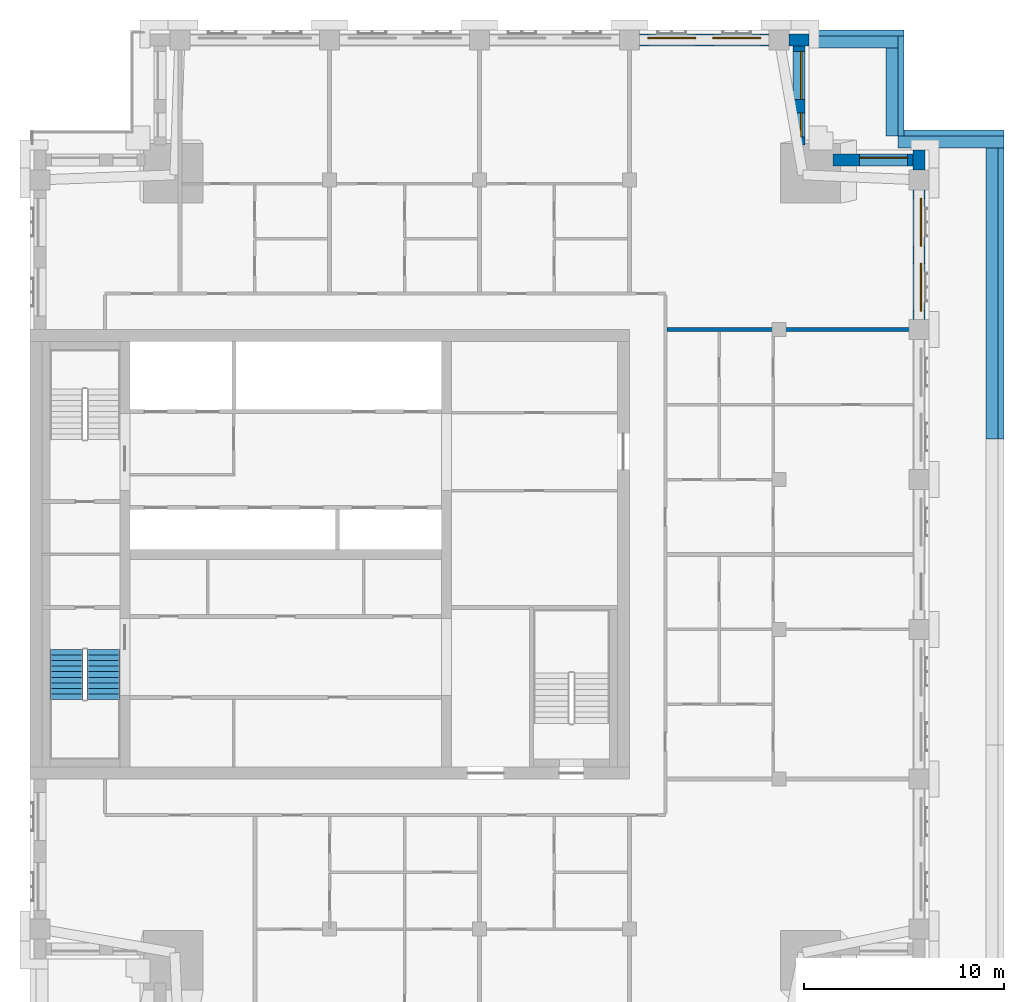
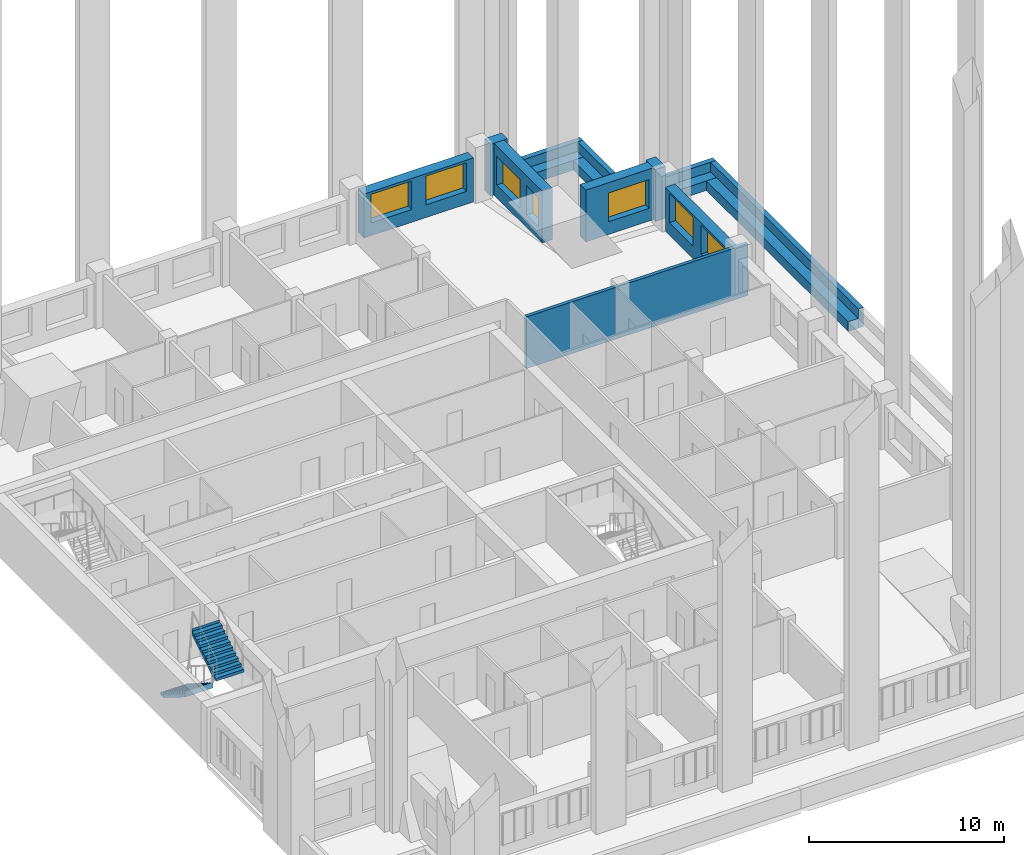
# One storey, part 8 of 12: 15 walls, 7 windows, 2 stair flights, 7 openings, 1 element without a shape of its own.
"""IFC4 building model written with IfcOpenShell, lengths in metres."""

from ifc_helpers import new_model, si_unit, direction, frame, frame_2d, origin, place, context, subcontext, project, spatial, polyline, rectangle, outline, extrude, material, layer, layer_set, type_object, element, fill, aggregate, save


model = new_model("IFC4")

# Units and contexts
model_context = context("Model", 3, precision=1e-05, world=origin(), true_north=direction((0.0, 1.0)))
body_context = subcontext(model_context, "Body", "Model", "MODEL_VIEW")
ifc_project = project(units=[si_unit("LENGTHUNIT", "METRE"), si_unit("AREAUNIT", "SQUARE_METRE"), si_unit("VOLUMEUNIT", "CUBIC_METRE"), si_unit("PLANEANGLEUNIT", "RADIAN"), si_unit("MASSUNIT", "GRAM", prefix="KILO")], contexts=[model_context])

# Site, building, storey
site_placement = place(None, origin())
site = spatial("IfcSite", under=ifc_project, at=site_placement, CompositionType="ELEMENT")
building_placement = place(site_placement, origin())
building = spatial("IfcBuilding", under=site, at=building_placement, Name="Tamorin Gate", CompositionType="ELEMENT")
storey_placement = place(building_placement, frame((0.0, 0.0, 266.199951171875)))
storey = spatial("IfcBuildingStorey", under=building, at=storey_placement, Name="L66", CompositionType="ELEMENT", Elevation=266.199951171875)

# Wall, openings, windows
ifc_material_1 = material(Name="Precast concrete C40/50", Category="concrete")
ifc_layer_1 = layer(ifc_material_1, 0.60009765625)
ifc_layer_set_1 = layer_set([ifc_layer_1], Name="Precast concrete C40/50")
wall_type_1 = type_object("IfcWallType", Name="Board-marked concrete facade panel 600", PredefinedType="SOLIDWALL", material=ifc_layer_set_1)
wall_1_placement = place(storey_placement, frame((74.5, 83.0, 0.0), z_axis=(0.0, 0.0, 1.0), x_axis=(0.0, 1.0, 0.0)))
wall_1 = element("IfcWall", 1, at=wall_1_placement, inside=storey, type_object=wall_type_1, Name="Facade panel", PredefinedType="SOLIDWALL", context=body_context, shape_type="SweptSolid", body=[
    extrude(rectangle(XDim=6.5, YDim=0.60009765625, at=frame_2d((3.25, 0.0))), origin(), (0.0, 0.0, 1.0), 2.75),
])
opening_1_placement = place(wall_1_placement, frame((0.425048828125, 0.0, 0.800048828125)))
opening_1 = element("IfcOpeningElement", 2, at=opening_1_placement, cuts=wall_1, Name="Opening WN1", PredefinedType="OPENING", context=body_context, shape_type="SweptSolid", body=[
    extrude(rectangle(XDim=2.39990234375, YDim=1.800048828125, at=frame_2d((1.199951171875, 0.89990234375))), frame((0.0, 0.31005859375, 0.0), z_axis=(0.0, -1.0, 0.0), x_axis=(1.0, 0.0, 0.0)), (0.0, 0.0, 1.0), 0.6201171875),
])
opening_2_placement = place(wall_1_placement, frame((3.675048828125, 0.0, 0.800048828125)))
opening_2 = element("IfcOpeningElement", 3, at=opening_2_placement, cuts=wall_1, Name="Opening WN1", PredefinedType="OPENING", context=body_context, shape_type="SweptSolid", body=[
    extrude(rectangle(XDim=2.39990234375, YDim=1.800048828125, at=frame_2d((1.199951171875, 0.89990234375))), frame((0.0, 0.31005859375, 0.0), z_axis=(0.0, -1.0, 0.0), x_axis=(1.0, 0.0, 0.0)), (0.0, 0.0, 1.0), 0.6201171875),
])
ifc_material_2 = material(Name="Clear glass in aluminium frame", Category="aluminium")
window_type_1 = type_object("IfcWindowType", Name="Deep-set window 2400x1800", PartitioningType="SINGLE_PANEL", PredefinedType="WINDOW", material=ifc_material_2)
window_1_placement = place(opening_1_placement, origin())
window_1 = element("IfcWindow", 4, at=window_1_placement, inside=storey, type_object=window_type_1, Name="Deep-set window", OverallHeight=1.800048828125, OverallWidth=2.39990234375, PartitioningType="SINGLE_PANEL", PredefinedType="WINDOW", context=body_context, shape_type="SweptSolid", body=[
    extrude(rectangle(XDim=2.39990234375, YDim=1.800048828125, at=frame_2d((1.199951171875, 0.89990234375))), frame((0.0, -0.070068359375, 0.0), z_axis=(0.0, -1.0, 0.0), x_axis=(1.0, 0.0, 0.0)), (0.0, 0.0, 1.0), 0.06005859375),
])
fill(opening_1, window_1)
window_2_placement = place(opening_2_placement, origin())
window_2 = element("IfcWindow", 5, at=window_2_placement, inside=storey, type_object=window_type_1, Name="Deep-set window", OverallHeight=1.800048828125, OverallWidth=2.39990234375, PartitioningType="SINGLE_PANEL", PredefinedType="WINDOW", context=body_context, shape_type="SweptSolid", body=[
    extrude(rectangle(XDim=2.39990234375, YDim=1.800048828125, at=frame_2d((1.199951171875, 0.89990234375))), frame((0.0, -0.070068359375, 0.0), z_axis=(0.0, -1.0, 0.0), x_axis=(1.0, 0.0, 0.0)), (0.0, 0.0, 1.0), 0.06005859375),
])
fill(opening_2, window_2)

# Wall
wall_2_placement = place(storey_placement, frame((74.5, 90.5, 0.0), z_axis=(0.0, 0.0, 1.0), x_axis=(0.0, 1.0, 0.0)))
element("IfcWall", 6, at=wall_2_placement, inside=storey, type_object=wall_type_1, Name="Facade panel", PredefinedType="SOLIDWALL", context=body_context, shape_type="SweptSolid", body=[
    extrude(rectangle(XDim=1.0, YDim=0.60009765625, at=frame_2d((0.5, 0.0))), origin(), (0.0, 0.0, 1.0), 3.25),
])

# Wall, opening, window
wall_3_placement = place(storey_placement, frame((74.199951171875, 91.0, 0.0), z_axis=(0.0, 0.0, 1.0), x_axis=(-1.0, 0.0, 0.0)))
wall_3 = element("IfcWall", 7, at=wall_3_placement, inside=storey, type_object=wall_type_1, Name="Facade panel", PredefinedType="SOLIDWALL", context=body_context, shape_type="SweptSolid", body=[
    extrude(rectangle(XDim=4.012451171875, YDim=0.60009765625, at=frame_2d((2.00634765625, 0.0))), origin(), (0.0, 0.0, 1.0), 3.25),
])
opening_3_placement = place(wall_3_placement, frame((0.27490234375, 0.0, 0.800048828125)))
opening_3 = element("IfcOpeningElement", 8, at=opening_3_placement, cuts=wall_3, Name="Opening WN1", PredefinedType="OPENING", context=body_context, shape_type="SweptSolid", body=[
    extrude(rectangle(XDim=2.39990234375, YDim=1.800048828125, at=frame_2d((1.199951171875, 0.89990234375))), frame((0.0, 0.31005859375, 0.0), z_axis=(0.0, -1.0, 0.0), x_axis=(1.0, 0.0, 0.0)), (0.0, 0.0, 1.0), 0.6201171875),
])
window_3_placement = place(opening_3_placement, origin())
window_3 = element("IfcWindow", 9, at=window_3_placement, inside=storey, type_object=window_type_1, Name="Deep-set window", OverallHeight=1.800048828125, OverallWidth=2.39990234375, PartitioningType="SINGLE_PANEL", PredefinedType="WINDOW", context=body_context, shape_type="SweptSolid", body=[
    extrude(rectangle(XDim=2.39990234375, YDim=1.800048828125, at=frame_2d((1.199951171875, 0.89990234375))), frame((0.0, -0.070068359375, 0.0), z_axis=(0.0, -1.0, 0.0), x_axis=(1.0, 0.0, 0.0)), (0.0, 0.0, 1.0), 0.06005859375),
])
fill(opening_3, window_3)

# Wall, openings, windows
wall_4_placement = place(storey_placement, frame((68.5, 91.75, 0.0), z_axis=(0.0, 0.0, 1.0), x_axis=(0.0, 1.0, 0.0)))
wall_4 = element("IfcWall", 10, at=wall_4_placement, inside=storey, type_object=wall_type_1, Name="Facade panel", PredefinedType="SOLIDWALL", context=body_context, shape_type="SweptSolid", body=[
    extrude(rectangle(XDim=4.949951171875, YDim=0.60009765625, at=frame_2d((2.47509765625, 0.0))), origin(), (0.0, 0.0, 1.0), 3.25),
])
opening_4_placement = place(wall_4_placement, frame((0.39990234375, 0.0, 0.800048828125)))
opening_4 = element("IfcOpeningElement", 11, at=opening_4_placement, cuts=wall_4, Name="Opening WN3", PredefinedType="OPENING", context=body_context, shape_type="SweptSolid", body=[
    extrude(rectangle(XDim=1.199951171875, YDim=1.800048828125, at=frame_2d((0.60009765625, 0.89990234375))), frame((0.0, 0.31005859375, 0.0), z_axis=(0.0, -1.0, 0.0), x_axis=(1.0, 0.0, 0.0)), (0.0, 0.0, 1.0), 0.6201171875),
])
opening_5_placement = place(wall_4_placement, frame((2.27490234375, 0.0, 0.800048828125)))
opening_5 = element("IfcOpeningElement", 12, at=opening_5_placement, cuts=wall_4, Name="Opening WN1", PredefinedType="OPENING", context=body_context, shape_type="SweptSolid", body=[
    extrude(rectangle(XDim=2.39990234375, YDim=1.800048828125, at=frame_2d((1.199951171875, 0.89990234375))), frame((0.0, 0.31005859375, 0.0), z_axis=(0.0, -1.0, 0.0), x_axis=(1.0, 0.0, 0.0)), (0.0, 0.0, 1.0), 0.6201171875),
])
window_type_2 = type_object("IfcWindowType", Name="Deep-set window 1200x1800", PartitioningType="SINGLE_PANEL", PredefinedType="WINDOW", material=ifc_material_2)
window_4_placement = place(opening_4_placement, origin())
window_4 = element("IfcWindow", 13, at=window_4_placement, inside=storey, type_object=window_type_2, Name="Deep-set window", OverallHeight=1.800048828125, OverallWidth=1.199951171875, PartitioningType="SINGLE_PANEL", PredefinedType="WINDOW", context=body_context, shape_type="SweptSolid", body=[
    extrude(rectangle(XDim=1.199951171875, YDim=1.800048828125, at=frame_2d((0.60009765625, 0.89990234375))), frame((0.0, -0.070068359375, 0.0), z_axis=(0.0, -1.0, 0.0), x_axis=(1.0, 0.0, 0.0)), (0.0, 0.0, 1.0), 0.06005859375),
])
fill(opening_4, window_4)
window_5_placement = place(opening_5_placement, origin())
window_5 = element("IfcWindow", 14, at=window_5_placement, inside=storey, type_object=window_type_1, Name="Deep-set window", OverallHeight=1.800048828125, OverallWidth=2.39990234375, PartitioningType="SINGLE_PANEL", PredefinedType="WINDOW", context=body_context, shape_type="SweptSolid", body=[
    extrude(rectangle(XDim=2.39990234375, YDim=1.800048828125, at=frame_2d((1.199951171875, 0.89990234375))), frame((0.0, -0.070068359375, 0.0), z_axis=(0.0, -1.0, 0.0), x_axis=(1.0, 0.0, 0.0)), (0.0, 0.0, 1.0), 0.06005859375),
])
fill(opening_5, window_5)

# Wall
wall_5_placement = place(storey_placement, frame((69.0, 97.0, 0.0), z_axis=(0.0, 0.0, 1.0), x_axis=(-1.0, 0.0, 0.0)))
element("IfcWall", 15, at=wall_5_placement, inside=storey, type_object=wall_type_1, Name="Facade panel", PredefinedType="SOLIDWALL", context=body_context, shape_type="SweptSolid", body=[
    extrude(rectangle(XDim=1.0, YDim=0.60009765625, at=frame_2d((0.5, 0.0))), origin(), (0.0, 0.0, 1.0), 3.25),
])

# Wall, openings, windows
wall_6_placement = place(storey_placement, frame((67.0, 97.0, 0.0), z_axis=(0.0, 0.0, 1.0), x_axis=(-1.0, 0.0, 0.0)))
wall_6 = element("IfcWall", 16, at=wall_6_placement, inside=storey, type_object=wall_type_1, Name="Facade panel", PredefinedType="SOLIDWALL", context=body_context, shape_type="SweptSolid", body=[
    extrude(rectangle(XDim=6.5, YDim=0.60009765625, at=frame_2d((3.25, 0.0))), origin(), (0.0, 0.0, 1.0), 2.75),
])
opening_6_placement = place(wall_6_placement, frame((3.675048828125, 0.0, 0.800048828125)))
opening_6 = element("IfcOpeningElement", 17, at=opening_6_placement, cuts=wall_6, Name="Opening WN1", PredefinedType="OPENING", context=body_context, shape_type="SweptSolid", body=[
    extrude(rectangle(XDim=2.39990234375, YDim=1.800048828125, at=frame_2d((1.199951171875, 0.89990234375))), frame((0.0, 0.31005859375, 0.0), z_axis=(0.0, -1.0, 0.0), x_axis=(1.0, 0.0, 0.0)), (0.0, 0.0, 1.0), 0.6201171875),
])
opening_7_placement = place(wall_6_placement, frame((0.425048828125, 0.0, 0.800048828125)))
opening_7 = element("IfcOpeningElement", 18, at=opening_7_placement, cuts=wall_6, Name="Opening WN1", PredefinedType="OPENING", context=body_context, shape_type="SweptSolid", body=[
    extrude(rectangle(XDim=2.39990234375, YDim=1.800048828125, at=frame_2d((1.199951171875, 0.89990234375))), frame((0.0, 0.31005859375, 0.0), z_axis=(0.0, -1.0, 0.0), x_axis=(1.0, 0.0, 0.0)), (0.0, 0.0, 1.0), 0.6201171875),
])
window_6_placement = place(opening_6_placement, origin())
window_6 = element("IfcWindow", 19, at=window_6_placement, inside=storey, type_object=window_type_1, Name="Deep-set window", OverallHeight=1.800048828125, OverallWidth=2.39990234375, PartitioningType="SINGLE_PANEL", PredefinedType="WINDOW", context=body_context, shape_type="SweptSolid", body=[
    extrude(rectangle(XDim=2.39990234375, YDim=1.800048828125, at=frame_2d((1.199951171875, 0.89990234375))), frame((0.0, -0.070068359375, 0.0), z_axis=(0.0, -1.0, 0.0), x_axis=(1.0, 0.0, 0.0)), (0.0, 0.0, 1.0), 0.06005859375),
])
fill(opening_6, window_6)
window_7_placement = place(opening_7_placement, origin())
window_7 = element("IfcWindow", 20, at=window_7_placement, inside=storey, type_object=window_type_1, Name="Deep-set window", OverallHeight=1.800048828125, OverallWidth=2.39990234375, PartitioningType="SINGLE_PANEL", PredefinedType="WINDOW", context=body_context, shape_type="SweptSolid", body=[
    extrude(rectangle(XDim=2.39990234375, YDim=1.800048828125, at=frame_2d((1.199951171875, 0.89990234375))), frame((0.0, -0.070068359375, 0.0), z_axis=(0.0, -1.0, 0.0), x_axis=(1.0, 0.0, 0.0)), (0.0, 0.0, 1.0), 0.06005859375),
])
fill(opening_7, window_7)

# Walls
ifc_material_3 = material(Name="Gypsum board partition")
ifc_layer_2 = layer(ifc_material_3, 0.199951171875)
ifc_layer_set_2 = layer_set([ifc_layer_2], Name="Demising wall 200")
wall_type_2 = type_object("IfcWallType", Name="Demising wall 200", PredefinedType="PARTITIONING", material=ifc_layer_set_2)
wall_7_placement = place(storey_placement, frame((61.875, 82.5, 0.0), z_axis=(0.0, 0.0, 1.0), x_axis=(1.0, 0.0, 0.0)))
element("IfcWall", 21, at=wall_7_placement, inside=storey, type_object=wall_type_2, Name="Demising wall 200", PredefinedType="PARTITIONING", context=body_context, shape_type="SweptSolid", body=[
    extrude(rectangle(XDim=13.125, YDim=0.199951171875, at=frame_2d((6.5625, 0.0))), origin(), (0.0, 0.0, 1.0), 3.25),
])
ifc_layer_3 = layer(ifc_material_1, 0.300048828125)
ifc_layer_set_3 = layer_set([ifc_layer_3], Name="Terrace parapet 300")
wall_type_3 = type_object("IfcWallType", Name="Terrace parapet 300", PredefinedType="PARAPET", material=ifc_layer_set_3)
wall_8_placement = place(storey_placement, frame((73.60009765625, 92.199951171875, 0.0), z_axis=(0.0, 0.0, 1.0), x_axis=(0.0, 1.0, 0.0)))
element("IfcWall", 22, at=wall_8_placement, inside=storey, type_object=wall_type_3, Name="Terrace parapet", PredefinedType="PARAPET", context=body_context, shape_type="SweptSolid", body=[
    extrude(rectangle(XDim=5.300048828125, YDim=0.300048828125, at=frame_2d((2.64990234375, 0.0))), origin(), (0.0, 0.0, 1.0), 1.199951171875),
])
wall_9_placement = place(storey_placement, frame((73.75, 92.35009765625, 0.0), z_axis=(0.0, 0.0, 1.0), x_axis=(1.0, 0.0, 0.0)))
element("IfcWall", 23, at=wall_9_placement, inside=storey, type_object=wall_type_3, Name="Terrace parapet", PredefinedType="PARAPET", context=body_context, shape_type="SweptSolid", body=[
    extrude(rectangle(XDim=5.0, YDim=0.300048828125, at=frame_2d((2.5, 0.0))), origin(), (0.0, 0.0, 1.0), 1.199951171875),
])
wall_10_placement = place(storey_placement, frame((78.60009765625, 77.033447265625, 0.0), z_axis=(0.0, 0.0, 1.0), x_axis=(0.0, 1.0, 0.0)))
element("IfcWall", 24, at=wall_10_placement, inside=storey, type_object=wall_type_3, Name="Terrace parapet", PredefinedType="PARAPET", context=body_context, shape_type="SweptSolid", body=[
    extrude(rectangle(XDim=15.16650390625, YDim=0.300048828125, at=frame_2d((7.583251953125, 0.0))), origin(), (0.0, 0.0, 1.0), 1.199951171875),
])
wall_11_placement = place(storey_placement, frame((69.0, 97.35009765625, 0.0), z_axis=(0.0, 0.0, 1.0), x_axis=(1.0, 0.0, 0.0)))
element("IfcWall", 25, at=wall_11_placement, inside=storey, type_object=wall_type_3, Name="Terrace parapet", PredefinedType="PARAPET", context=body_context, shape_type="SweptSolid", body=[
    extrude(rectangle(XDim=4.75, YDim=0.300048828125, at=frame_2d((2.375, 0.0))), origin(), (0.0, 0.0, 1.0), 1.199951171875),
])
ifc_layer_4 = layer(ifc_material_1, 0.60009765625)
ifc_layer_set_4 = layer_set([ifc_layer_4], Name="Terrace planter wall 600")
wall_type_4 = type_object("IfcWallType", Name="Terrace planter wall 600", PredefinedType="STANDARD", material=ifc_layer_set_4)
for number, where, z_axis, x_axis, name in (
    (26, (73.14990234375, 97.5, 0.0), (0.0, 0.0, 1.0), (0.0, -1.0, 0.0), "PLANTER wall"),
    (27, (73.449951171875, 91.89990234375, 0.0), (0.0, 0.0, 1.0), (1.0, 0.0, 0.0), "PLANTER wall"),
):
    element("IfcWall", number, at=place(storey_placement, frame(where, z_axis=z_axis, x_axis=x_axis)), inside=storey, type_object=wall_type_4, Name=name, PredefinedType="STANDARD", context=body_context, shape_type="SweptSolid", body=[
        extrude(rectangle(XDim=5.300048828125, YDim=0.60009765625, at=frame_2d((2.64990234375, 0.0))), origin(), (0.0, 0.0, 1.0), 0.60009765625),
    ])
wall_12_placement = place(storey_placement, frame((78.14990234375, 77.033447265625, 0.0), z_axis=(0.0, 0.0, 1.0), x_axis=(0.0, 1.0, 0.0)))
element("IfcWall", 28, at=wall_12_placement, inside=storey, type_object=wall_type_4, Name="PLANTER wall", PredefinedType="STANDARD", context=body_context, shape_type="SweptSolid", body=[
    extrude(rectangle(XDim=14.566650390625, YDim=0.60009765625, at=frame_2d((7.283203125, 0.0))), origin(), (0.0, 0.0, 1.0), 0.60009765625),
])
wall_13_placement = place(storey_placement, frame((69.050048828125, 96.89990234375, 0.0), z_axis=(0.0, 0.0, 1.0), x_axis=(1.0, 0.0, 0.0)))
element("IfcWall", 29, at=wall_13_placement, inside=storey, type_object=wall_type_4, Name="PLANTER wall", PredefinedType="STANDARD", context=body_context, shape_type="SweptSolid", body=[
    extrude(rectangle(XDim=4.699951171875, YDim=0.60009765625, at=frame_2d((2.35009765625, 0.0))), origin(), (0.0, 0.0, 1.0), 0.60009765625),
])

# Stair, stair flights
ifc_material_4 = material(Name="Concrete C40/50", Category="concrete")
stair_type = type_object("IfcStairType", Name="Exit stair", PredefinedType="HALF_TURN_STAIR", material=ifc_material_4)
stair_placement = place(storey_placement, origin())
stair = element("IfcStair", 30, at=stair_placement, inside=storey, type_object=stair_type, Name="L66 stair ST1", PredefinedType="HALF_TURN_STAIR")
stair_flight_type = type_object("IfcStairFlightType", Name="Exit stair flight", PredefinedType="STRAIGHT", material=ifc_material_4)
stair_flight_1_placement = place(storey_placement, frame((31.824951171875, 66.5, 0.0), z_axis=(0.0, 0.0, 1.0), x_axis=(0.0, -1.0, 0.0)))
stair_flight_1 = element("IfcStairFlight", 31, at=stair_flight_1_placement, type_object=stair_flight_type, Name="ST1 flight 1", NumberOfRisers=10, NumberOfTreads=9, PredefinedType="STRAIGHT", RiserHeight=0.175, TreadLength=0.28, context=body_context, shape_type="SweptSolid", body=[
    extrude(outline(polyline([(-0.00048828125, 0.0), (-0.00048828125, 0.001708984375), (-0.00048828125, 0.00341796875), (-0.00048828125, 0.005126953125), (-0.00048828125, 0.0068359375), (-0.00048828125, 0.008544921875), (-0.00048828125, 0.010498046875), (-0.00048828125, 0.01220703125), (-0.00048828125, 0.013916015625), (-0.00048828125, 0.015625), (-0.00048828125, 0.017333984375), (-0.00048828125, 0.01904296875), (-0.00048828125, 0.020751953125), (-0.00048828125, 0.0224609375), (-0.00048828125, 0.024169921875), (-0.00048828125, 0.02587890625), (-0.00048828125, 0.02783203125), (-0.00048828125, 0.029541015625), (-0.00048828125, 0.03125), (-0.00048828125, 0.032958984375), (-0.00048828125, 0.03466796875), (-0.00048828125, 0.036376953125), (-0.00048828125, 0.0380859375), (-0.00048828125, 0.039794921875), (-0.00048828125, 0.04150390625), (-0.00048828125, 0.043212890625), (-0.00048828125, 0.045166015625), (-0.00048828125, 0.046875), (-0.00048828125, 0.048583984375), (-0.00048828125, 0.05029296875), (-0.00048828125, 0.052001953125), (-0.00048828125, 0.0537109375), (-0.00048828125, 0.055419921875), (-0.00048828125, 0.05712890625), (-0.00048828125, 0.058837890625), (-0.00048828125, 0.060546875), (-0.00048828125, 0.062255859375), (-0.00048828125, 0.064208984375), (-0.00048828125, 0.06591796875), (-0.00048828125, 0.067626953125), (-0.00048828125, 0.0693359375), (-0.00048828125, 0.071044921875), (-0.00048828125, 0.07275390625), (-0.00048828125, 0.074462890625), (-0.00048828125, 0.076171875), (-0.00048828125, 0.077880859375), (-0.00048828125, 0.07958984375), (-0.00048828125, 0.08154296875), (-0.00048828125, 0.083251953125), (-0.00048828125, 0.0849609375), (-0.00048828125, 0.086669921875), (-0.00048828125, 0.08837890625), (-0.00048828125, 0.090087890625), (-0.00048828125, 0.091796875), (-0.00048828125, 0.093505859375), (-0.00048828125, 0.09521484375), (-0.00048828125, 0.096923828125), (-0.00048828125, 0.098876953125), (-0.00048828125, 0.1005859375), (-0.00048828125, 0.102294921875), (-0.00048828125, 0.10400390625), (-0.00048828125, 0.105712890625), (-0.00048828125, 0.107421875), (-0.00048828125, 0.109130859375), (-0.00048828125, 0.11083984375), (-0.00048828125, 0.112548828125), (-0.00048828125, 0.1142578125), (-0.00048828125, 0.1162109375), (-0.00048828125, 0.117919921875), (-0.00048828125, 0.11962890625), (-0.00048828125, 0.121337890625), (-0.00048828125, 0.123046875), (-0.00048828125, 0.124755859375), (-0.00048828125, 0.12646484375), (-0.00048828125, 0.128173828125), (-0.00048828125, 0.1298828125), (-0.00048828125, 0.131591796875), (-0.00048828125, 0.13330078125), (-0.00048828125, 0.13525390625), (-0.00048828125, 0.136962890625), (-0.00048828125, 0.138671875), (-0.00048828125, 0.140380859375), (-0.00048828125, 0.14208984375), (-0.00048828125, 0.143798828125), (-0.00048828125, 0.1455078125), (-0.00048828125, 0.147216796875), (-0.00048828125, 0.14892578125), (-0.00048828125, 0.150634765625), (-0.00048828125, 0.152587890625), (-0.00048828125, 0.154296875), (-0.00048828125, 0.156005859375), (-0.00048828125, 0.15771484375), (-0.00048828125, 0.159423828125), (-0.00048828125, 0.1611328125), (-0.00048828125, 0.162841796875), (-0.00048828125, 0.16455078125), (-0.00048828125, 0.166259765625), (-0.00048828125, 0.16796875), (-0.00048828125, 0.169921875), (-0.00048828125, 0.171630859375), (-0.00048828125, 0.17333984375), (-0.00048828125, 0.175048828125), (0.280029296875, 0.175048828125), (0.280029296875, 0.35009765625), (0.56005859375, 0.35009765625), (0.56005859375, 0.52490234375), (0.840087890625, 0.52490234375), (0.840087890625, 0.699951171875), (1.1201171875, 0.699951171875), (1.1201171875, 0.875), (1.39990234375, 0.875), (1.39990234375, 1.050048828125), (1.679931640625, 1.050048828125), (1.679931640625, 1.22509765625), (1.9599609375, 1.22509765625), (1.9599609375, 1.39990234375), (2.239990234375, 1.39990234375), (2.239990234375, 1.574951171875), (2.52001953125, 1.574951171875), (2.52001953125, 1.75), (2.5205078125, 1.75), (2.5205078125, 1.74658203125), (2.5205078125, 1.742919921875), (2.5205078125, 1.739501953125), (2.5205078125, 1.736083984375), (2.5205078125, 1.732666015625), (2.5205078125, 1.72900390625), (2.5205078125, 1.7255859375), (2.5205078125, 1.72216796875), (2.5205078125, 1.71875), (2.5205078125, 1.715087890625), (2.5205078125, 1.711669921875), (2.5205078125, 1.708251953125), (2.5205078125, 1.704833984375), (2.5205078125, 1.701171875), (2.5205078125, 1.69775390625), (2.5205078125, 1.6943359375), (2.5205078125, 1.690673828125), (2.5205078125, 1.687255859375), (2.5205078125, 1.683837890625), (2.5205078125, 1.680419921875), (2.5205078125, 1.6767578125), (2.5205078125, 1.67333984375), (2.5205078125, 1.669921875), (2.5205078125, 1.66650390625), (2.5205078125, 1.662841796875), (2.5205078125, 1.659423828125), (2.5205078125, 1.656005859375), (2.5205078125, 1.652587890625), (2.5205078125, 1.64892578125), (2.5205078125, 1.6455078125), (2.5205078125, 1.64208984375), (2.5205078125, 1.638427734375), (2.5205078125, 1.635009765625), (2.5205078125, 1.631591796875), (2.5205078125, 1.628173828125), (2.5205078125, 1.62451171875), (2.5205078125, 1.62109375), (2.5205078125, 1.61767578125), (2.5205078125, 1.6142578125), (2.5205078125, 1.610595703125), (2.5205078125, 1.607177734375), (2.5205078125, 1.603759765625), (2.5205078125, 1.600341796875), (2.5205078125, 1.5966796875), (2.5205078125, 1.59326171875), (2.5205078125, 1.58984375), (2.5205078125, 1.58642578125), (2.5205078125, 1.582763671875), (2.5205078125, 1.579345703125), (2.5205078125, 1.575927734375), (2.5205078125, 1.572265625), (2.5205078125, 1.56884765625), (2.5205078125, 1.5654296875), (2.5205078125, 1.56201171875), (2.5205078125, 1.558349609375), (2.5205078125, 1.554931640625), (2.5205078125, 1.551513671875), (2.5205078125, 1.548095703125), (2.5205078125, 1.54443359375), (2.5205078125, 1.541015625), (2.5205078125, 1.53759765625), (2.5205078125, 1.5341796875), (2.5205078125, 1.530517578125), (2.5205078125, 1.527099609375), (2.5205078125, 1.523681640625), (2.5205078125, 1.52001953125), (2.5205078125, 1.5166015625), (2.5205078125, 1.51318359375), (2.5205078125, 1.509765625), (2.5205078125, 1.506103515625), (2.5205078125, 1.502685546875), (2.5205078125, 1.499267578125), (2.5205078125, 1.495849609375), (2.5205078125, 1.4921875), (2.5205078125, 1.48876953125), (2.5205078125, 1.4853515625), (2.5205078125, 1.48193359375), (2.5205078125, 1.478271484375), (2.5205078125, 1.474853515625), (2.5205078125, 1.471435546875), (2.5205078125, 1.4677734375), (2.5205078125, 1.46435546875), (2.5205078125, 1.4609375), (2.5205078125, 1.45751953125), (2.5205078125, 1.453857421875), (2.5205078125, 1.450439453125), (2.5205078125, 1.447021484375), (2.5205078125, 1.443603515625), (2.5205078125, 1.43994140625), (2.5205078125, 1.4365234375), (2.5205078125, 1.43310546875), (2.5205078125, 1.4296875), (2.5205078125, 1.426025390625), (2.5205078125, 1.422607421875), (2.5205078125, 1.419189453125), (2.5205078125, 1.41552734375), (2.5205078125, 1.412109375), (2.5205078125, 1.40869140625), (2.5205078125, 1.4052734375), (2.5205078125, 1.401611328125), (2.5205078125, 1.398193359375), (2.52001953125, 1.398193359375), (0.28271484375, 0.0), (-0.00048828125, 0.0)])), frame((0.0, 0.824951171875, 0.0), z_axis=(0.0, -1.0, 0.0), x_axis=(1.0, 0.0, 0.0)), (0.0, 0.0, 1.0), 1.64990234375),
])
stair_flight_2_placement = place(storey_placement, frame((33.675048828125, 63.97998046875, 1.75), z_axis=(0.0, 0.0, 1.0), x_axis=(0.0, 1.0, 0.0)))
stair_flight_2 = element("IfcStairFlight", 32, at=stair_flight_2_placement, type_object=stair_flight_type, Name="ST1 flight 2", NumberOfRisers=10, NumberOfTreads=9, PredefinedType="STRAIGHT", RiserHeight=0.175, TreadLength=0.28, context=body_context, shape_type="SweptSolid", body=[
    extrude(outline(polyline([(-0.00048828125, 0.0), (-0.00048828125, 0.001708984375), (-0.00048828125, 0.00341796875), (-0.00048828125, 0.005126953125), (-0.00048828125, 0.0068359375), (-0.00048828125, 0.008544921875), (-0.00048828125, 0.010498046875), (-0.00048828125, 0.01220703125), (-0.00048828125, 0.013916015625), (-0.00048828125, 0.015625), (-0.00048828125, 0.017333984375), (-0.00048828125, 0.01904296875), (-0.00048828125, 0.020751953125), (-0.00048828125, 0.0224609375), (-0.00048828125, 0.024169921875), (-0.00048828125, 0.02587890625), (-0.00048828125, 0.02783203125), (-0.00048828125, 0.029541015625), (-0.00048828125, 0.03125), (-0.00048828125, 0.032958984375), (-0.00048828125, 0.03466796875), (-0.00048828125, 0.036376953125), (-0.00048828125, 0.0380859375), (-0.00048828125, 0.039794921875), (-0.00048828125, 0.04150390625), (-0.00048828125, 0.043212890625), (-0.00048828125, 0.045166015625), (-0.00048828125, 0.046875), (-0.00048828125, 0.048583984375), (-0.00048828125, 0.05029296875), (-0.00048828125, 0.052001953125), (-0.00048828125, 0.0537109375), (-0.00048828125, 0.055419921875), (-0.00048828125, 0.05712890625), (-0.00048828125, 0.058837890625), (-0.00048828125, 0.060546875), (-0.00048828125, 0.062255859375), (-0.00048828125, 0.064208984375), (-0.00048828125, 0.06591796875), (-0.00048828125, 0.067626953125), (-0.00048828125, 0.0693359375), (-0.00048828125, 0.071044921875), (-0.00048828125, 0.07275390625), (-0.00048828125, 0.074462890625), (-0.00048828125, 0.076171875), (-0.00048828125, 0.077880859375), (-0.00048828125, 0.07958984375), (-0.00048828125, 0.08154296875), (-0.00048828125, 0.083251953125), (-0.00048828125, 0.0849609375), (-0.00048828125, 0.086669921875), (-0.00048828125, 0.08837890625), (-0.00048828125, 0.090087890625), (-0.00048828125, 0.091796875), (-0.00048828125, 0.093505859375), (-0.00048828125, 0.09521484375), (-0.00048828125, 0.096923828125), (-0.00048828125, 0.098876953125), (-0.00048828125, 0.1005859375), (-0.00048828125, 0.102294921875), (-0.00048828125, 0.10400390625), (-0.00048828125, 0.105712890625), (-0.00048828125, 0.107421875), (-0.00048828125, 0.109130859375), (-0.00048828125, 0.11083984375), (-0.00048828125, 0.112548828125), (-0.00048828125, 0.1142578125), (-0.00048828125, 0.1162109375), (-0.00048828125, 0.117919921875), (-0.00048828125, 0.11962890625), (-0.00048828125, 0.121337890625), (-0.00048828125, 0.123046875), (-0.00048828125, 0.124755859375), (-0.00048828125, 0.12646484375), (-0.00048828125, 0.128173828125), (-0.00048828125, 0.1298828125), (-0.00048828125, 0.131591796875), (-0.00048828125, 0.13330078125), (-0.00048828125, 0.13525390625), (-0.00048828125, 0.136962890625), (-0.00048828125, 0.138671875), (-0.00048828125, 0.140380859375), (-0.00048828125, 0.14208984375), (-0.00048828125, 0.143798828125), (-0.00048828125, 0.1455078125), (-0.00048828125, 0.147216796875), (-0.00048828125, 0.14892578125), (-0.00048828125, 0.150634765625), (-0.00048828125, 0.152587890625), (-0.00048828125, 0.154296875), (-0.00048828125, 0.156005859375), (-0.00048828125, 0.15771484375), (-0.00048828125, 0.159423828125), (-0.00048828125, 0.1611328125), (-0.00048828125, 0.162841796875), (-0.00048828125, 0.16455078125), (-0.00048828125, 0.166259765625), (-0.00048828125, 0.16796875), (-0.00048828125, 0.169921875), (-0.00048828125, 0.171630859375), (-0.00048828125, 0.17333984375), (-0.00048828125, 0.175048828125), (0.280029296875, 0.175048828125), (0.280029296875, 0.35009765625), (0.56005859375, 0.35009765625), (0.56005859375, 0.52490234375), (0.840087890625, 0.52490234375), (0.840087890625, 0.699951171875), (1.1201171875, 0.699951171875), (1.1201171875, 0.875), (1.39990234375, 0.875), (1.39990234375, 1.050048828125), (1.679931640625, 1.050048828125), (1.679931640625, 1.22509765625), (1.9599609375, 1.22509765625), (1.9599609375, 1.39990234375), (2.239990234375, 1.39990234375), (2.239990234375, 1.574951171875), (2.52001953125, 1.574951171875), (2.52001953125, 1.75), (2.5205078125, 1.75), (2.5205078125, 1.74658203125), (2.5205078125, 1.742919921875), (2.5205078125, 1.739501953125), (2.5205078125, 1.736083984375), (2.5205078125, 1.732666015625), (2.5205078125, 1.72900390625), (2.5205078125, 1.7255859375), (2.5205078125, 1.72216796875), (2.5205078125, 1.71875), (2.5205078125, 1.715087890625), (2.5205078125, 1.711669921875), (2.5205078125, 1.708251953125), (2.5205078125, 1.704833984375), (2.5205078125, 1.701171875), (2.5205078125, 1.69775390625), (2.5205078125, 1.6943359375), (2.5205078125, 1.690673828125), (2.5205078125, 1.687255859375), (2.5205078125, 1.683837890625), (2.5205078125, 1.680419921875), (2.5205078125, 1.6767578125), (2.5205078125, 1.67333984375), (2.5205078125, 1.669921875), (2.5205078125, 1.66650390625), (2.5205078125, 1.662841796875), (2.5205078125, 1.659423828125), (2.5205078125, 1.656005859375), (2.5205078125, 1.652587890625), (2.5205078125, 1.64892578125), (2.5205078125, 1.6455078125), (2.5205078125, 1.64208984375), (2.5205078125, 1.638427734375), (2.5205078125, 1.635009765625), (2.5205078125, 1.631591796875), (2.5205078125, 1.628173828125), (2.5205078125, 1.62451171875), (2.5205078125, 1.62109375), (2.5205078125, 1.61767578125), (2.5205078125, 1.6142578125), (2.5205078125, 1.610595703125), (2.5205078125, 1.607177734375), (2.5205078125, 1.603759765625), (2.5205078125, 1.600341796875), (2.5205078125, 1.5966796875), (2.5205078125, 1.59326171875), (2.5205078125, 1.58984375), (2.5205078125, 1.58642578125), (2.5205078125, 1.582763671875), (2.5205078125, 1.579345703125), (2.5205078125, 1.575927734375), (2.5205078125, 1.572265625), (2.5205078125, 1.56884765625), (2.5205078125, 1.5654296875), (2.5205078125, 1.56201171875), (2.5205078125, 1.558349609375), (2.5205078125, 1.554931640625), (2.5205078125, 1.551513671875), (2.5205078125, 1.548095703125), (2.5205078125, 1.54443359375), (2.5205078125, 1.541015625), (2.5205078125, 1.53759765625), (2.5205078125, 1.5341796875), (2.5205078125, 1.530517578125), (2.5205078125, 1.527099609375), (2.5205078125, 1.523681640625), (2.5205078125, 1.52001953125), (2.5205078125, 1.5166015625), (2.5205078125, 1.51318359375), (2.5205078125, 1.509765625), (2.5205078125, 1.506103515625), (2.5205078125, 1.502685546875), (2.5205078125, 1.499267578125), (2.5205078125, 1.495849609375), (2.5205078125, 1.4921875), (2.5205078125, 1.48876953125), (2.5205078125, 1.4853515625), (2.5205078125, 1.48193359375), (2.5205078125, 1.478271484375), (2.5205078125, 1.474853515625), (2.5205078125, 1.471435546875), (2.5205078125, 1.4677734375), (2.5205078125, 1.46435546875), (2.5205078125, 1.4609375), (2.5205078125, 1.45751953125), (2.5205078125, 1.453857421875), (2.5205078125, 1.450439453125), (2.5205078125, 1.447021484375), (2.5205078125, 1.443603515625), (2.5205078125, 1.43994140625), (2.5205078125, 1.4365234375), (2.5205078125, 1.43310546875), (2.5205078125, 1.4296875), (2.5205078125, 1.426025390625), (2.5205078125, 1.422607421875), (2.5205078125, 1.419189453125), (2.5205078125, 1.41552734375), (2.5205078125, 1.412109375), (2.5205078125, 1.40869140625), (2.5205078125, 1.4052734375), (2.5205078125, 1.401611328125), (2.5205078125, 1.398193359375), (2.52001953125, 1.398193359375), (0.28271484375, 0.0), (-0.00048828125, 0.0)])), frame((0.0, 0.824951171875, 0.0), z_axis=(0.0, -1.0, 0.0), x_axis=(1.0, 0.0, 0.0)), (0.0, 0.0, 1.0), 1.64990234375),
])
aggregate(stair, [stair_flight_1, stair_flight_2])

save(model, "model.ifc")
